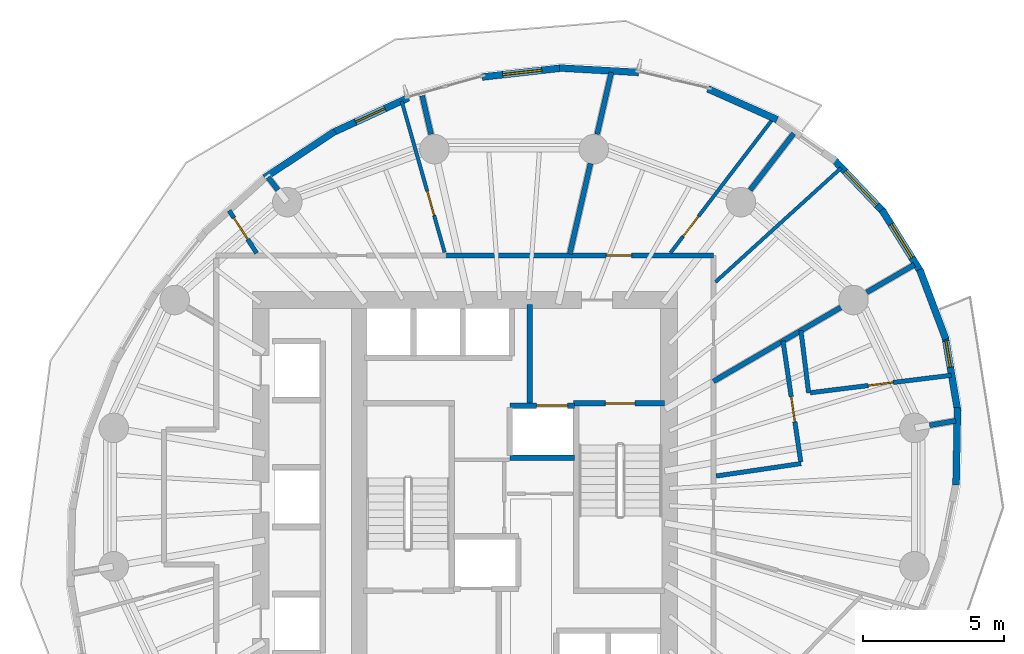
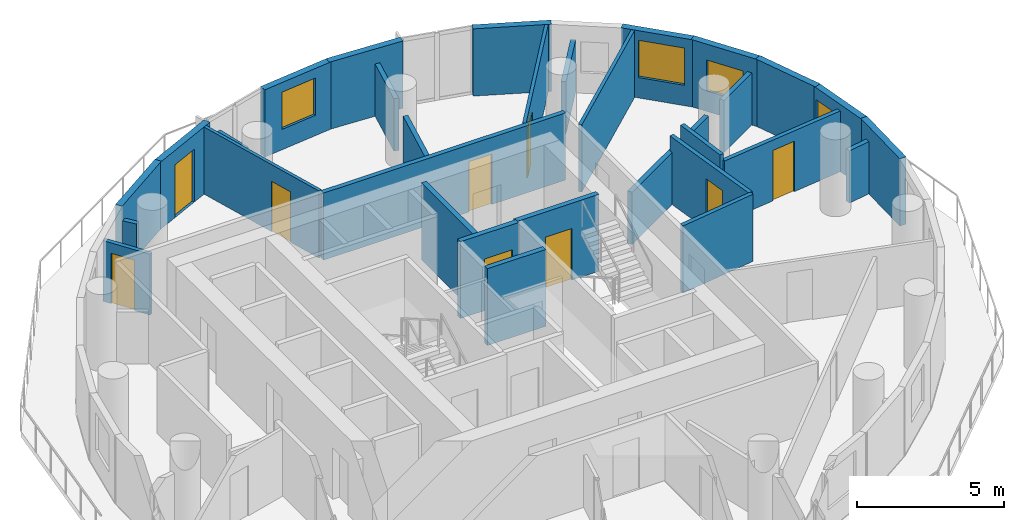
# One storey, part 7 of 13: 31 walls, 9 doors, 4 windows, 13 openings.
"""IFC4 building model written with IfcOpenShell, lengths in metres."""

from ifc_helpers import new_model, si_unit, direction, frame, frame_2d, origin, place, context, subcontext, project, spatial, rectangle, extrude, material, layer, layer_set, type_object, element, fill, save


model = new_model("IFC4")

# Units and contexts
model_context = context("Model", 3, precision=1e-05, world=origin(), true_north=direction((0.0, 1.0)))
body_context = subcontext(model_context, "Body", "Model", "MODEL_VIEW")
ifc_project = project(units=[si_unit("LENGTHUNIT", "METRE"), si_unit("AREAUNIT", "SQUARE_METRE"), si_unit("VOLUMEUNIT", "CUBIC_METRE"), si_unit("PLANEANGLEUNIT", "RADIAN"), si_unit("MASSUNIT", "GRAM", prefix="KILO")], contexts=[model_context])

# Site, building, storey
site_placement = place(None, origin())
site = spatial("IfcSite", under=ifc_project, at=site_placement, CompositionType="ELEMENT")
building_placement = place(site_placement, origin())
building = spatial("IfcBuilding", under=site, at=building_placement, Name="Veldorim Arch Residences", CompositionType="ELEMENT")
storey_placement = place(building_placement, frame((0.0, 0.0, 155.360107421875)))
storey = spatial("IfcBuildingStorey", under=building, at=storey_placement, Name="L46", CompositionType="ELEMENT", Elevation=155.360107421875)

# Wall, opening, door
ifc_material_1 = material(Name="Acoustic Gypsum Board", Category="gypsum")
ifc_layer_1 = layer(ifc_material_1, 0.125, Name="Acoustic Stud Room Partition Wall 125")
ifc_layer_set_1 = layer_set([ifc_layer_1], Name="Acoustic Gypsum Board")
wall_type_1 = type_object("IfcWallType", Name="Acoustic Stud Room Partition Wall 125", PredefinedType="PARTITIONING", material=ifc_layer_set_1)
wall_1_placement = place(storey_placement, frame((41.206787109375, 37.455322265625, 0.0), z_axis=(0.0, 0.0, 1.0), x_axis=(-0.606958821331, -0.794733281805, 0.0)))
wall_1 = element("IfcWall", 1, at=wall_1_placement, inside=storey, type_object=wall_type_1, Name="L46 interior wall WL-RES-L46-022", PredefinedType="PARTITIONING", context=body_context, shape_type="SweptSolid", body=[
    extrude(rectangle(XDim=6.0146484375, YDim=0.125, at=frame_2d((3.00732421875, 0.0))), origin(), (0.0, 0.0, 1.0), 2.794921875),
])
opening_1_placement = place(wall_1_placement, frame((4.377197265625, 0.0, 0.0)))
opening_1 = element("IfcOpeningElement", 2, at=opening_1_placement, cuts=wall_1, Name="Opening DR-SVC", PredefinedType="OPENING", context=body_context, shape_type="SweptSolid", body=[
    extrude(rectangle(XDim=0.89990234375, YDim=2.10009765625, at=frame_2d((0.449951171875, 1.050048828125))), frame((0.0, 0.072509765625, 0.0), z_axis=(0.0, -1.0, 0.0), x_axis=(1.0, 0.0, 0.0)), (0.0, 0.0, 1.0), 0.14501953125),
])
ifc_material_2 = material(Name="Fire-Rated Steel", Category="steel")
door_type_1 = type_object("IfcDoorType", Name="Riser, Shelter & Plant Room Rated Steel Door 900x2100", OperationType="SINGLE_SWING_LEFT", PredefinedType="DOOR", material=ifc_material_2)
door_1_placement = place(opening_1_placement, origin())
door_1 = element("IfcDoor", 3, at=door_1_placement, inside=storey, type_object=door_type_1, Name="L46 interior door DR-RES-L46-011", OperationType="SINGLE_SWING_LEFT", OverallHeight=2.10009765625, OverallWidth=0.89990234375, PredefinedType="DOOR", context=body_context, shape_type="SweptSolid", body=[
    extrude(rectangle(XDim=0.89990234375, YDim=2.10009765625, at=frame_2d((0.449951171875, 1.050048828125))), frame((0.0, 0.02490234375, 0.0), z_axis=(0.0, -1.0, 0.0), x_axis=(1.0, 0.0, 0.0)), (0.0, 0.0, 1.0), 0.050048828125),
])
fill(opening_1, door_1)

# Wall
wall_2_placement = place(storey_placement, frame((39.154052734375, 31.641357421875, 0.0), z_axis=(0.0, 0.0, 1.0), x_axis=(0.740463996849, 0.672096026896, 0.0)))
element("IfcWall", 4, at=wall_2_placement, inside=storey, type_object=wall_type_1, Name="L46 interior wall WL-RES-L46-024", PredefinedType="PARTITIONING", context=body_context, shape_type="SweptSolid", body=[
    extrude(rectangle(XDim=6.02783203125, YDim=0.125, at=frame_2d((3.013916015625, 0.0))), origin(), (0.0, 0.0, 1.0), 2.794921875),
])

# Wall, opening, door
wall_3_placement = place(storey_placement, frame((28.008056640625, 38.0625, 0.0), z_axis=(0.0, 0.0, 1.0), x_axis=(0.273056222603, -0.961998076556, 0.0)))
wall_3 = element("IfcWall", 5, at=wall_3_placement, inside=storey, type_object=wall_type_1, Name="L46 interior wall WL-RES-L46-026", PredefinedType="PARTITIONING", context=body_context, shape_type="SweptSolid", body=[
    extrude(rectangle(XDim=5.5791015625, YDim=0.125, at=frame_2d((2.78955078125, 0.0))), origin(), (0.0, 0.0, 1.0), 2.794921875),
])
opening_2_placement = place(wall_3_placement, frame((3.319580078125, 0.0, 0.0)))
opening_2 = element("IfcOpeningElement", 6, at=opening_2_placement, cuts=wall_3, Name="Opening DR-INT", PredefinedType="OPENING", context=body_context, shape_type="SweptSolid", body=[
    extrude(rectangle(XDim=0.89990234375, YDim=2.10009765625, at=frame_2d((0.449951171875, 1.050048828125))), frame((0.0, 0.072509765625, 0.0), z_axis=(0.0, -1.0, 0.0), x_axis=(1.0, 0.0, 0.0)), (0.0, 0.0, 1.0), 0.14501953125),
])
ifc_material_3 = material(Name="Engineered Timber", Category="wood")
door_type_2 = type_object("IfcDoorType", Name="Apartment Internal Room Timber Door 900x2100", OperationType="SINGLE_SWING_LEFT", PredefinedType="DOOR", material=ifc_material_3)
door_2_placement = place(opening_2_placement, origin())
door_2 = element("IfcDoor", 7, at=door_2_placement, inside=storey, type_object=door_type_2, Name="L46 interior door DR-RES-L46-014", OperationType="SINGLE_SWING_RIGHT", OverallHeight=2.10009765625, OverallWidth=0.89990234375, PredefinedType="DOOR", context=body_context, shape_type="SweptSolid", body=[
    extrude(rectangle(XDim=0.89990234375, YDim=2.10009765625, at=frame_2d((0.449951171875, 1.050048828125))), frame((0.0, 0.02490234375, 0.0), z_axis=(0.0, -1.0, 0.0), x_axis=(1.0, 0.0, 0.0)), (0.0, 0.0, 1.0), 0.050048828125),
])
fill(opening_2, door_2)

# Walls
ifc_material_4 = material(Name="Lightweight Masonry Block & Gypsum", Category="masonry")
ifc_layer_2 = layer(ifc_material_4, 0.179931640625, Name="Compartment & Corridor Fire-Rated Party Wall 180")
ifc_layer_set_2 = layer_set([ifc_layer_2], Name="Lightweight Masonry Block & Gypsum")
wall_type_2 = type_object("IfcWallType", Name="Compartment & Corridor Fire-Rated Party Wall 180", PredefinedType="PARTITIONING", material=ifc_layer_set_2)
wall_4_placement = place(storey_placement, frame((46.75830078125, 26.55078125, 0.0), z_axis=(0.0, 0.0, 1.0), x_axis=(0.985363023372, 0.170469094476, 0.0)))
element("IfcWall", 8, at=wall_4_placement, inside=storey, type_object=wall_type_2, Name="L46 interior wall WL-PIER-L46-01", PredefinedType="PARTITIONING", context=body_context, shape_type="SweptSolid", body=[
    extrude(rectangle(XDim=0.9453125, YDim=0.179931640625, at=frame_2d((0.47265625, 0.0))), origin(), (0.0, 0.0, 1.0), 2.17578125),
])
wall_5_placement = place(storey_placement, frame((44.527587890625, 31.27392578125, 0.0), z_axis=(0.0, 0.0, 1.0), x_axis=(0.864794183852, 0.502126497584, 0.0)))
element("IfcWall", 9, at=wall_5_placement, inside=storey, type_object=wall_type_2, Name="L46 interior wall WL-PIER-L46-02", PredefinedType="PARTITIONING", context=body_context, shape_type="SweptSolid", body=[
    extrude(rectangle(XDim=1.958984375, YDim=0.179931640625, at=frame_2d((0.9794921875, 0.0))), origin(), (0.0, 0.0, 1.0), 2.17578125),
])
wall_6_placement = place(storey_placement, frame((40.387939453125, 34.908447265625, 0.0), z_axis=(0.0, 0.0, 1.0), x_axis=(0.609529171404, 0.79276364019, 0.0)))
element("IfcWall", 10, at=wall_6_placement, inside=storey, type_object=wall_type_2, Name="L46 interior wall WL-PIER-L46-03", PredefinedType="PARTITIONING", context=body_context, shape_type="SweptSolid", body=[
    extrude(rectangle(XDim=2.5341796875, YDim=0.179931640625, at=frame_2d((1.26708984375, 0.0))), origin(), (0.0, 0.0, 1.0), 2.17578125),
])
wall_7_placement = place(storey_placement, frame((34.950439453125, 36.88916015625, 0.0), z_axis=(0.0, 0.0, 1.0), x_axis=(0.223104026265, 0.974794641688, 0.0)))
element("IfcWall", 11, at=wall_7_placement, inside=storey, type_object=wall_type_2, Name="L46 interior wall WL-PIER-L46-04", PredefinedType="PARTITIONING", context=body_context, shape_type="SweptSolid", body=[
    extrude(rectangle(XDim=2.25537109375, YDim=0.179931640625, at=frame_2d((1.127685546875, 0.0))), origin(), (0.0, 0.0, 1.0), 2.17578125),
])
wall_8_placement = place(storey_placement, frame((29.049560546875, 36.88916015625, 0.0), z_axis=(0.0, 0.0, 1.0), x_axis=(-0.223121817242, 0.974790569646, 0.0)))
element("IfcWall", 12, at=wall_8_placement, inside=storey, type_object=wall_type_2, Name="L46 interior wall WL-PIER-L46-05", PredefinedType="PARTITIONING", context=body_context, shape_type="SweptSolid", body=[
    extrude(rectangle(XDim=1.406005859375, YDim=0.179931640625, at=frame_2d((0.703125, 0.0))), origin(), (0.0, 0.0, 1.0), 2.17578125),
])
wall_9_placement = place(storey_placement, frame((23.612060546875, 34.908447265625, 0.0), z_axis=(0.0, 0.0, 1.0), x_axis=(-0.609608105511, 0.79270294417, 0.0)))
element("IfcWall", 13, at=wall_9_placement, inside=storey, type_object=wall_type_2, Name="L46 interior wall WL-PIER-L46-06", PredefinedType="PARTITIONING", context=body_context, shape_type="SweptSolid", body=[
    extrude(rectangle(XDim=0.57470703125, YDim=0.179931640625, at=frame_2d((0.287353515625, 0.0))), origin(), (0.0, 0.0, 1.0), 2.17578125),
])

# Wall, opening, door
wall_10_placement = place(storey_placement, frame((29.543701171875, 32.580078125, 0.0), z_axis=(0.0, 0.0, 1.0), x_axis=(1.0, 0.0, 0.0)))
wall_10 = element("IfcWall", 14, at=wall_10_placement, inside=storey, type_object=wall_type_2, Name="L46 interior wall WL-RES-L46-003", PredefinedType="PARTITIONING", context=body_context, shape_type="SweptSolid", body=[
    extrude(rectangle(XDim=9.536376953125, YDim=0.179931640625, at=frame_2d((4.76806640625, 0.0))), origin(), (0.0, 0.0, 1.0), 2.794921875),
])
opening_3_placement = place(wall_10_placement, frame((5.732666015625, 0.0, 0.0)))
opening_3 = element("IfcOpeningElement", 15, at=opening_3_placement, cuts=wall_10, Name="Opening DR-INT", PredefinedType="OPENING", context=body_context, shape_type="SweptSolid", body=[
    extrude(rectangle(XDim=0.89990234375, YDim=2.10009765625, at=frame_2d((0.449951171875, 1.050048828125))), frame((0.0, 0.099853515625, 0.0), z_axis=(0.0, -1.0, 0.0), x_axis=(1.0, 0.0, 0.0)), (0.0, 0.0, 1.0), 0.199951171875),
])
door_3_placement = place(opening_3_placement, origin())
door_3 = element("IfcDoor", 16, at=door_3_placement, inside=storey, type_object=door_type_2, Name="L46 interior door DR-RES-L46-009", OperationType="SINGLE_SWING_LEFT", OverallHeight=2.10009765625, OverallWidth=0.89990234375, PredefinedType="DOOR", context=body_context, shape_type="SweptSolid", body=[
    extrude(rectangle(XDim=0.89990234375, YDim=2.10009765625, at=frame_2d((0.449951171875, 1.050048828125))), frame((0.0, 0.02490234375, 0.0), z_axis=(0.0, -1.0, 0.0), x_axis=(1.0, 0.0, 0.0)), (0.0, 0.0, 1.0), 0.050048828125),
])
fill(opening_3, door_3)

# Walls
wall_11_placement = place(storey_placement, frame((39.080078125, 28.110595703125, 0.0), z_axis=(0.0, 0.0, 1.0), x_axis=(0.864768049288, 0.502171505495, 0.0)))
element("IfcWall", 17, at=wall_11_placement, inside=storey, type_object=wall_type_2, Name="L46 interior wall WL-RES-L46-020", PredefinedType="PARTITIONING", context=body_context, shape_type="SweptSolid", body=[
    extrude(rectangle(XDim=5.237060546875, YDim=0.179931640625, at=frame_2d((2.61865234375, 0.0))), origin(), (0.0, 0.0, 1.0), 2.17578125),
])
wall_12_placement = place(storey_placement, frame((33.977294921875, 32.638427734375, 0.0), z_axis=(0.0, 0.0, 1.0), x_axis=(0.22319287001, 0.974774303506, 0.0)))
element("IfcWall", 18, at=wall_12_placement, inside=storey, type_object=wall_type_2, Name="L46 interior wall WL-RES-L46-023", PredefinedType="PARTITIONING", context=body_context, shape_type="SweptSolid", body=[
    extrude(rectangle(XDim=3.2958984375, YDim=0.179931640625, at=frame_2d((1.64794921875, 0.0))), origin(), (0.0, 0.0, 1.0), 2.17578125),
])

# Wall, opening, door
ifc_material_5 = material(Name="Concrete C50/60", Category="concrete")
ifc_layer_3 = layer(ifc_material_5, 0.199951171875, Name="Core Stair & Lift Shaft Enclosure Wall 200")
ifc_layer_set_3 = layer_set([ifc_layer_3], Name="Concrete C50/60")
wall_type_3 = type_object("IfcWallType", Name="Core Stair & Lift Shaft Enclosure Wall 200", PredefinedType="SHEAR", material=ifc_layer_set_3)
wall_13_placement = place(storey_placement, frame((34.110107421875, 27.330078125, 0.0), z_axis=(0.0, 0.0, 1.0), x_axis=(1.0, 0.0, 0.0)))
wall_13 = element("IfcWall", 19, at=wall_13_placement, inside=storey, type_object=wall_type_3, Name="L46 shaft wall WL-SHF-L46-ST2-N", PredefinedType="SHEAR", context=body_context, shape_type="SweptSolid", body=[
    extrude(rectangle(XDim=3.239990234375, YDim=0.199951171875, at=frame_2d((1.6201171875, 0.0))), origin(), (0.0, 0.0, 1.0), 3.199951171875),
])
opening_4_placement = place(wall_13_placement, frame((1.135009765625, 0.0, 0.0)))
opening_4 = element("IfcOpeningElement", 20, at=opening_4_placement, cuts=wall_13, Name="Opening DR-ST", PredefinedType="OPENING", context=body_context, shape_type="SweptSolid", body=[
    extrude(rectangle(XDim=1.050048828125, YDim=2.14990234375, at=frame_2d((0.52490234375, 1.074951171875))), frame((0.0, 0.10986328125, 0.0), z_axis=(0.0, -1.0, 0.0), x_axis=(1.0, 0.0, 0.0)), (0.0, 0.0, 1.0), 0.219970703125),
])
ifc_material_6 = material(Name="Fire-Rated Steel", Category="steel")
door_type_3 = type_object("IfcDoorType", Name="Exit Staircase Self-Closing Fire Door 1050x2150", OperationType="SINGLE_SWING_LEFT", PredefinedType="DOOR", material=ifc_material_6)
door_4_placement = place(opening_4_placement, origin())
door_4 = element("IfcDoor", 21, at=door_4_placement, inside=storey, type_object=door_type_3, Name="L46 interior door DR-L46-ST2", OperationType="SINGLE_SWING_RIGHT", OverallHeight=2.14990234375, OverallWidth=1.050048828125, PredefinedType="DOOR", context=body_context, shape_type="SweptSolid", body=[
    extrude(rectangle(XDim=1.050048828125, YDim=2.14990234375, at=frame_2d((0.52490234375, 1.074951171875))), frame((0.0, 0.02490234375, 0.0), z_axis=(0.0, -1.0, 0.0), x_axis=(1.0, 0.0, 0.0)), (0.0, 0.0, 1.0), 0.050048828125),
])
fill(opening_4, door_4)

# Wall
wall_14_placement = place(storey_placement, frame((32.550048828125, 27.35009765625, 0.0), z_axis=(0.0, 0.0, 1.0), x_axis=(0.0, 1.0, 0.0)))
element("IfcWall", 22, at=wall_14_placement, inside=storey, type_object=wall_type_3, Name="L46 shaft wall WL-FFL2-L46-W", PredefinedType="SHEAR", context=body_context, shape_type="SweptSolid", body=[
    extrude(rectangle(XDim=3.5, YDim=0.199951171875, at=frame_2d((1.75, 0.0))), origin(), (0.0, 0.0, 1.0), 3.199951171875),
])

# Wall, opening, door
wall_15_placement = place(storey_placement, frame((31.85009765625, 27.25, 0.0), z_axis=(0.0, 0.0, 1.0), x_axis=(1.0, 0.0, 0.0)))
wall_15 = element("IfcWall", 23, at=wall_15_placement, inside=storey, type_object=wall_type_3, Name="L46 shaft wall WL-FL02-L46-N", PredefinedType="SHEAR", context=body_context, shape_type="SweptSolid", body=[
    extrude(rectangle(XDim=2.2998046875, YDim=0.199951171875, at=frame_2d((1.14990234375, 0.0))), origin(), (0.0, 0.0, 1.0), 3.199951171875),
])
opening_5_placement = place(wall_15_placement, frame((0.949951171875, 0.0, 0.0)))
opening_5 = element("IfcOpeningElement", 24, at=opening_5_placement, cuts=wall_15, Name="Opening LD-FF", PredefinedType="OPENING", context=body_context, shape_type="SweptSolid", body=[
    extrude(rectangle(XDim=1.10009765625, YDim=2.14990234375, at=frame_2d((0.550048828125, 1.074951171875))), frame((0.0, 0.10986328125, 0.0), z_axis=(0.0, -1.0, 0.0), x_axis=(1.0, 0.0, 0.0)), (0.0, 0.0, 1.0), 0.219970703125),
])
ifc_material_7 = material(Name="Stainless Steel", Category="steel")
door_type_4 = type_object("IfcDoorType", Name="Firefighting Lift Bi-Parting Sliding Landing Door 1100x2150", OperationType="DOUBLE_DOOR_SLIDING", PredefinedType="DOOR", material=ifc_material_7)
door_5_placement = place(opening_5_placement, origin())
door_5 = element("IfcDoor", 25, at=door_5_placement, inside=storey, type_object=door_type_4, Name="L46 lift landing door LD-L46-FL02", OperationType="DOUBLE_DOOR_SLIDING", OverallHeight=2.14990234375, OverallWidth=1.10009765625, PredefinedType="DOOR", context=body_context, shape_type="SweptSolid", body=[
    extrude(rectangle(XDim=1.10009765625, YDim=2.14990234375, at=frame_2d((0.550048828125, 1.074951171875))), frame((0.0, 0.02490234375, 0.0), z_axis=(0.0, -1.0, 0.0), x_axis=(1.0, 0.0, 0.0)), (0.0, 0.0, 1.0), 0.050048828125),
])
fill(opening_5, door_5)

# Wall
wall_16_placement = place(storey_placement, frame((31.85009765625, 25.39990234375, 0.0), z_axis=(0.0, 0.0, 1.0), x_axis=(1.0, 0.0, 0.0)))
element("IfcWall", 26, at=wall_16_placement, inside=storey, type_object=wall_type_3, Name="L46 shaft wall WL-FL02-L46-S", PredefinedType="SHEAR", context=body_context, shape_type="SweptSolid", body=[
    extrude(rectangle(XDim=2.2998046875, YDim=0.199951171875, at=frame_2d((1.14990234375, 0.0))), origin(), (0.0, 0.0, 1.0), 3.199951171875),
])

# Wall, opening, window
ifc_material_8 = material(Name="Precast concrete C40/50", Category="concrete")
ifc_layer_4 = layer(ifc_material_8, 0.25, Name="Tower Terracotta Spandrel & Pier Wall 250")
ifc_layer_set_4 = layer_set([ifc_layer_4], Name="Precast concrete C40/50")
wall_type_4 = type_object("IfcWallType", Name="Tower Terracotta Spandrel & Pier Wall 250", PredefinedType="SOLIDWALL", material=ifc_layer_set_4)
wall_17_placement = place(storey_placement, frame((43.328125, 36.018798828125, 0.0), z_axis=(0.0, 0.0, 1.0), x_axis=(0.688923042016, -0.724834492957, 0.0)))
wall_17 = element("IfcWall", 27, at=wall_17_placement, inside=storey, type_object=wall_type_4, Name="L46 terracotta facade wall 01", PredefinedType="SOLIDWALL", context=body_context, shape_type="SweptSolid", body=[
    extrude(rectangle(XDim=2.624267578125, YDim=0.25, at=frame_2d((1.31201171875, 0.0))), origin(), (0.0, 0.0, 1.0), 2.7998046875),
])
opening_6_placement = place(wall_17_placement, frame((0.62109375, 0.0, 0.85009765625)))
opening_6 = element("IfcOpeningElement", 28, at=opening_6_placement, cuts=wall_17, Name="Opening WN-03", PredefinedType="OPENING", context=body_context, shape_type="SweptSolid", body=[
    extrude(rectangle(XDim=1.64990234375, YDim=1.550048828125, at=frame_2d((0.824951171875, 0.77490234375))), frame((0.0, 0.135009765625, 0.0), z_axis=(0.0, -1.0, 0.0), x_axis=(1.0, 0.0, 0.0)), (0.0, 0.0, 1.0), 0.27001953125),
])
ifc_material_9 = material(Name="Laminated Low-E Glass", Category="glass")
window_type_1 = type_object("IfcWindowType", Name="Residential Wide Window 1650x1550", PartitioningType="SINGLE_PANEL", PredefinedType="WINDOW", material=ifc_material_9)
window_1_placement = place(opening_6_placement, origin())
window_1 = element("IfcWindow", 29, at=window_1_placement, inside=storey, type_object=window_type_1, Name="L46 solar-control facade window 01", OverallHeight=1.550048828125, OverallWidth=1.64990234375, PartitioningType="SINGLE_PANEL", PredefinedType="WINDOW", context=body_context, shape_type="SweptSolid", body=[
    extrude(rectangle(XDim=1.64990234375, YDim=1.550048828125, at=frame_2d((0.824951171875, 0.77490234375))), frame((0.0, 0.030029296875, 0.0), z_axis=(0.0, -1.0, 0.0), x_axis=(1.0, 0.0, 0.0)), (0.0, 0.0, 1.0), 0.06005859375),
])
fill(opening_6, window_1)

# Walls
wall_18_placement = place(storey_placement, frame((38.885986328125, 38.5048828125, 0.0), z_axis=(0.0, 0.0, 1.0), x_axis=(0.913598321014, -0.406617889228, 0.0)))
element("IfcWall", 30, at=wall_18_placement, inside=storey, type_object=wall_type_4, Name="L46 terracotta facade wall 03", PredefinedType="SOLIDWALL", context=body_context, shape_type="SweptSolid", body=[
    extrude(rectangle(XDim=2.69287109375, YDim=0.25, at=frame_2d((1.346435546875, 0.0))), origin(), (0.0, 0.0, 1.0), 2.7998046875),
])
wall_19_placement = place(storey_placement, frame((33.61279296875, 39.245849609375, 0.0), z_axis=(0.0, 0.0, 1.0), x_axis=(0.998436800423, -0.055892356906, 0.0)))
element("IfcWall", 31, at=wall_19_placement, inside=storey, type_object=wall_type_4, Name="L46 terracotta facade wall 05", PredefinedType="SOLIDWALL", context=body_context, shape_type="SweptSolid", body=[
    extrude(rectangle(XDim=2.8173828125, YDim=0.25, at=frame_2d((1.40869140625, 0.0))), origin(), (0.0, 0.0, 1.0), 2.7998046875),
])

# Wall, opening, window
wall_20_placement = place(storey_placement, frame((30.860107421875, 38.92431640625, 0.0), z_axis=(0.0, 0.0, 1.0), x_axis=(0.993631150985, 0.112681568111, 0.0)))
wall_20 = element("IfcWall", 32, at=wall_20_placement, inside=storey, type_object=wall_type_4, Name="L46 terracotta facade wall 06", PredefinedType="SOLIDWALL", context=body_context, shape_type="SweptSolid", body=[
    extrude(rectangle(XDim=2.881591796875, YDim=0.25, at=frame_2d((1.44091796875, 0.0))), origin(), (0.0, 0.0, 1.0), 2.7998046875),
])
opening_7_placement = place(wall_20_placement, frame((0.740966796875, 0.0, 0.85009765625)))
opening_7 = element("IfcOpeningElement", 33, at=opening_7_placement, cuts=wall_20, Name="Opening WN-02", PredefinedType="OPENING", context=body_context, shape_type="SweptSolid", body=[
    extrude(rectangle(XDim=1.39990234375, YDim=1.550048828125, at=frame_2d((0.699951171875, 0.77490234375))), frame((0.0, 0.135009765625, 0.0), z_axis=(0.0, -1.0, 0.0), x_axis=(1.0, 0.0, 0.0)), (0.0, 0.0, 1.0), 0.27001953125),
])
ifc_material_10 = material(Name="Laminated Low-E Glass", Category="glass")
window_type_2 = type_object("IfcWindowType", Name="Residential Casement Window 1400x1550", PartitioningType="SINGLE_PANEL", PredefinedType="WINDOW", material=ifc_material_10)
window_2_placement = place(opening_7_placement, origin())
window_2 = element("IfcWindow", 34, at=window_2_placement, inside=storey, type_object=window_type_2, Name="L46 solar-control facade window 06", OverallHeight=1.550048828125, OverallWidth=1.39990234375, PartitioningType="SINGLE_PANEL", PredefinedType="WINDOW", context=body_context, shape_type="SweptSolid", body=[
    extrude(rectangle(XDim=1.39990234375, YDim=1.550048828125, at=frame_2d((0.699951171875, 0.77490234375))), frame((0.0, 0.030029296875, 0.0), z_axis=(0.0, -1.0, 0.0), x_axis=(1.0, 0.0, 0.0)), (0.0, 0.0, 1.0), 0.06005859375),
])
fill(opening_7, window_2)

# Wall, opening, door
wall_21_placement = place(storey_placement, frame((25.53857421875, 36.943603515625, 0.0), z_axis=(0.0, 0.0, 1.0), x_axis=(0.908594420046, 0.417679518124, 0.0)))
wall_21 = element("IfcWall", 35, at=wall_21_placement, inside=storey, type_object=wall_type_4, Name="L46 terracotta facade wall 08", PredefinedType="SOLIDWALL", context=body_context, shape_type="SweptSolid", body=[
    extrude(rectangle(XDim=2.97705078125, YDim=0.25, at=frame_2d((1.488525390625, 0.0))), origin(), (0.0, 0.0, 1.0), 2.7998046875),
])
opening_8_placement = place(wall_21_placement, frame((0.9140625, 0.0, 0.0)))
opening_8 = element("IfcOpeningElement", 36, at=opening_8_placement, cuts=wall_21, Name="Opening BL-DR", PredefinedType="OPENING", context=body_context, shape_type="SweptSolid", body=[
    extrude(rectangle(XDim=1.14990234375, YDim=2.199951171875, at=frame_2d((0.574951171875, 1.10009765625))), frame((0.0, 0.135009765625, 0.0), z_axis=(0.0, -1.0, 0.0), x_axis=(1.0, 0.0, 0.0)), (0.0, 0.0, 1.0), 0.27001953125),
])
ifc_material_11 = material(Name="Aluminium & Low-E Glass", Category="aluminium")
door_type_5 = type_object("IfcDoorType", Name="Glazed Planted Balcony Door 1150x2200", OperationType="SINGLE_SWING_LEFT", PredefinedType="DOOR", material=ifc_material_11)
door_6_placement = place(opening_8_placement, origin())
door_6 = element("IfcDoor", 37, at=door_6_placement, inside=storey, type_object=door_type_5, Name="L46 glazed outdoor terrace door BALC-1", OperationType="SINGLE_SWING_RIGHT", OverallHeight=2.199951171875, OverallWidth=1.14990234375, PredefinedType="DOOR", context=body_context, shape_type="SweptSolid", body=[
    extrude(rectangle(XDim=1.14990234375, YDim=2.199951171875, at=frame_2d((0.574951171875, 1.10009765625))), frame((0.0, 0.02490234375, 0.0), z_axis=(0.0, -1.0, 0.0), x_axis=(1.0, 0.0, 0.0)), (0.0, 0.0, 1.0), 0.050048828125),
])
fill(opening_8, door_6)

# Walls
wall_22_placement = place(storey_placement, frame((23.132080078125, 35.343994140625, 0.0), z_axis=(0.0, 0.0, 1.0), x_axis=(0.83436073477, 0.551218798912, 0.0)))
element("IfcWall", 38, at=wall_22_placement, inside=storey, type_object=wall_type_4, Name="L46 terracotta facade wall 09", PredefinedType="SOLIDWALL", context=body_context, shape_type="SweptSolid", body=[
    extrude(rectangle(XDim=2.998046875, YDim=0.25, at=frame_2d((1.4990234375, 0.0))), origin(), (0.0, 0.0, 1.0), 2.7998046875),
])
wall_23_placement = place(storey_placement, frame((47.753173828125, 27.175048828125, 0.0), z_axis=(0.0, 0.0, 1.0), x_axis=(-0.018273942119, -0.999833017578, 0.0)))
element("IfcWall", 39, at=wall_23_placement, inside=storey, type_object=wall_type_4, Name="L46 terracotta facade wall 33", PredefinedType="SOLIDWALL", context=body_context, shape_type="SweptSolid", body=[
    extrude(rectangle(XDim=2.752197265625, YDim=0.25, at=frame_2d((1.3759765625, 0.0))), origin(), (0.0, 0.0, 1.0), 2.7998046875),
])

# Wall, opening, window
wall_24_placement = place(storey_placement, frame((47.312744140625, 29.7177734375, 0.0), z_axis=(0.0, 0.0, 1.0), x_axis=(0.166721354457, -0.9860040517, 0.0)))
wall_24 = element("IfcWall", 40, at=wall_24_placement, inside=storey, type_object=wall_type_4, Name="L46 terracotta facade wall 34", PredefinedType="SOLIDWALL", context=body_context, shape_type="SweptSolid", body=[
    extrude(rectangle(XDim=2.69287109375, YDim=0.25, at=frame_2d((1.346435546875, 0.0))), origin(), (0.0, 0.0, 1.0), 2.7998046875),
])
opening_9_placement = place(wall_24_placement, frame((0.175048828125, 0.0, 0.85009765625)))
opening_9 = element("IfcOpeningElement", 41, at=opening_9_placement, cuts=wall_24, Name="Opening WN-05", PredefinedType="OPENING", context=body_context, shape_type="SweptSolid", body=[
    extrude(rectangle(XDim=0.949951171875, YDim=1.449951171875, at=frame_2d((0.47509765625, 0.72509765625))), frame((0.0, 0.135009765625, 0.0), z_axis=(0.0, -1.0, 0.0), x_axis=(1.0, 0.0, 0.0)), (0.0, 0.0, 1.0), 0.27001953125),
])
ifc_material_12 = material(Name="Laminated Low-E Glass", Category="glass")
window_type_3 = type_object("IfcWindowType", Name="Residential Compact Casement Window 950x1450", PartitioningType="SINGLE_PANEL", PredefinedType="WINDOW", material=ifc_material_12)
window_3_placement = place(opening_9_placement, origin())
window_3 = element("IfcWindow", 42, at=window_3_placement, inside=storey, type_object=window_type_3, Name="L46 solar-control facade window 34", OverallHeight=1.449951171875, OverallWidth=0.949951171875, PartitioningType="SINGLE_PANEL", PredefinedType="WINDOW", context=body_context, shape_type="SweptSolid", body=[
    extrude(rectangle(XDim=0.949951171875, YDim=1.449951171875, at=frame_2d((0.47509765625, 0.72509765625))), frame((0.0, 0.030029296875, 0.0), z_axis=(0.0, -1.0, 0.0), x_axis=(1.0, 0.0, 0.0)), (0.0, 0.0, 1.0), 0.06005859375),
])
fill(opening_9, window_3)

# Wall
wall_25_placement = place(storey_placement, frame((46.40771484375, 32.085693359375, 0.0), z_axis=(0.0, 0.0, 1.0), x_axis=(0.353022229402, -0.93561493444, 0.0)))
element("IfcWall", 43, at=wall_25_placement, inside=storey, type_object=wall_type_4, Name="L46 terracotta facade wall 35", PredefinedType="SOLIDWALL", context=body_context, shape_type="SweptSolid", body=[
    extrude(rectangle(XDim=2.64794921875, YDim=0.25, at=frame_2d((1.323974609375, 0.0))), origin(), (0.0, 0.0, 1.0), 2.7998046875),
])

# Wall, opening, window
wall_26_placement = place(storey_placement, frame((45.06591796875, 34.207275390625, 0.0), z_axis=(0.0, 0.0, 1.0), x_axis=(0.530726374543, -0.847543223302, 0.0)))
wall_26 = element("IfcWall", 44, at=wall_26_placement, inside=storey, type_object=wall_type_4, Name="L46 terracotta facade wall 36", PredefinedType="SOLIDWALL", context=body_context, shape_type="SweptSolid", body=[
    extrude(rectangle(XDim=2.6240234375, YDim=0.25, at=frame_2d((1.31201171875, 0.0))), origin(), (0.0, 0.0, 1.0), 2.7998046875),
])
opening_10_placement = place(wall_26_placement, frame((0.612060546875, 0.0, 0.85009765625)))
opening_10 = element("IfcOpeningElement", 45, at=opening_10_placement, cuts=wall_26, Name="Opening WN-02", PredefinedType="OPENING", context=body_context, shape_type="SweptSolid", body=[
    extrude(rectangle(XDim=1.39990234375, YDim=1.2900390625, at=frame_2d((0.699951171875, 0.64501953125))), frame((0.0, 0.135009765625, 0.0), z_axis=(0.0, -1.0, 0.0), x_axis=(1.0, 0.0, 0.0)), (0.0, 0.0, 1.0), 0.27001953125),
])
window_4_placement = place(opening_10_placement, origin())
window_4 = element("IfcWindow", 46, at=window_4_placement, inside=storey, type_object=window_type_2, Name="L46 solar-control facade window 36", OverallHeight=1.2900390625, OverallWidth=1.39990234375, PartitioningType="SINGLE_PANEL", PredefinedType="WINDOW", context=body_context, shape_type="SweptSolid", body=[
    extrude(rectangle(XDim=1.39990234375, YDim=1.2900390625, at=frame_2d((0.699951171875, 0.64501953125))), frame((0.0, 0.030029296875, 0.0), z_axis=(0.0, -1.0, 0.0), x_axis=(1.0, 0.0, 0.0)), (0.0, 0.0, 1.0), 0.06005859375),
])
fill(opening_10, window_4)

# Wall
ifc_material_13 = material(Name="Moisture-Resistant Gypsum & Stud", Category="gypsum")
ifc_layer_5 = layer(ifc_material_13, 0.159912109375, Name="Wet-Area Moisture-Resistant Plumbing Wall 160")
ifc_layer_set_5 = layer_set([ifc_layer_5], Name="Moisture-Resistant Gypsum & Stud")
wall_type_5 = type_object("IfcWallType", Name="Wet-Area Moisture-Resistant Plumbing Wall 160", PredefinedType="PLUMBINGWALL", material=ifc_layer_set_5)
wall_27_placement = place(storey_placement, frame((42.189208984375, 29.916259765625, 0.0), z_axis=(0.0, 0.0, 1.0), x_axis=(0.122809822633, -0.99243022297, 0.0)))
element("IfcWall", 47, at=wall_27_placement, inside=storey, type_object=wall_type_5, Name="L46 interior wall WL-RES-L46-015", PredefinedType="PLUMBINGWALL", context=body_context, shape_type="SweptSolid", body=[
    extrude(rectangle(XDim=2.232421875, YDim=0.159912109375, at=frame_2d((1.1162109375, 0.0))), origin(), (0.0, 0.0, 1.0), 2.794921875),
])

# Wall, opening, door
wall_28_placement = place(storey_placement, frame((42.522705078125, 27.7080078125, 0.0), z_axis=(0.0, 0.0, 1.0), x_axis=(0.992432598709, 0.122790622685, 0.0)))
wall_28 = element("IfcWall", 48, at=wall_28_placement, inside=storey, type_object=wall_type_5, Name="L46 interior wall WL-RES-L46-016", PredefinedType="PLUMBINGWALL", context=body_context, shape_type="SweptSolid", body=[
    extrude(rectangle(XDim=5.048095703125, YDim=0.159912109375, at=frame_2d((2.52392578125, 0.0))), origin(), (0.0, 0.0, 1.0), 2.531982421875),
])
opening_11_placement = place(wall_28_placement, frame((2.073974609375, 0.0, 0.0)))
opening_11 = element("IfcOpeningElement", 49, at=opening_11_placement, cuts=wall_28, Name="Opening DR-WC", PredefinedType="OPENING", context=body_context, shape_type="SweptSolid", body=[
    extrude(rectangle(XDim=0.89990234375, YDim=2.10009765625, at=frame_2d((0.449951171875, 1.050048828125))), frame((0.0, 0.08984375, 0.0), z_axis=(0.0, -1.0, 0.0), x_axis=(1.0, 0.0, 0.0)), (0.0, 0.0, 1.0), 0.179931640625),
])
ifc_material_14 = material(Name="Laminate Timber", Category="wood")
door_type_6 = type_object("IfcDoorType", Name="Bathroom & Accessible WC Moisture-Sealed Door 900x2100", OperationType="SINGLE_SWING_LEFT", PredefinedType="DOOR", material=ifc_material_14)
door_7_placement = place(opening_11_placement, origin())
door_7 = element("IfcDoor", 50, at=door_7_placement, inside=storey, type_object=door_type_6, Name="L46 interior door DR-RES-L46-005", OperationType="SINGLE_SWING_LEFT", OverallHeight=2.10009765625, OverallWidth=0.89990234375, PredefinedType="DOOR", context=body_context, shape_type="SweptSolid", body=[
    extrude(rectangle(XDim=0.89990234375, YDim=2.10009765625, at=frame_2d((0.449951171875, 1.050048828125))), frame((0.0, 0.02490234375, 0.0), z_axis=(0.0, -1.0, 0.0), x_axis=(1.0, 0.0, 0.0)), (0.0, 0.0, 1.0), 0.050048828125),
])
fill(opening_11, door_7)

# Wall
wall_29_placement = place(storey_placement, frame((39.178955078125, 24.7490234375, 0.0), z_axis=(0.0, 0.0, 1.0), x_axis=(0.989395416792, 0.145247062726, 0.0)))
element("IfcWall", 51, at=wall_29_placement, inside=storey, type_object=wall_type_5, Name="L46 interior wall WL-RES-L46-018", PredefinedType="PLUMBINGWALL", context=body_context, shape_type="SweptSolid", body=[
    extrude(rectangle(XDim=3.045654296875, YDim=0.159912109375, at=frame_2d((1.52294921875, 0.0))), origin(), (0.0, 0.0, 1.0), 2.794921875),
])

# Wall, opening, door
wall_30_placement = place(storey_placement, frame((42.183837890625, 25.2509765625, 0.0), z_axis=(0.0, 0.0, 1.0), x_axis=(-0.145293261483, 0.989388633535, 0.0)))
wall_30 = element("IfcWall", 52, at=wall_30_placement, inside=storey, type_object=wall_type_5, Name="L46 interior wall WL-RES-L46-019", PredefinedType="PLUMBINGWALL", context=body_context, shape_type="SweptSolid", body=[
    extrude(rectangle(XDim=4.342041015625, YDim=0.159912109375, at=frame_2d((2.1708984375, 0.0))), origin(), (0.0, 0.0, 1.0), 2.794921875),
])
opening_12_placement = place(wall_30_placement, frame((1.44091796875, 0.0, 0.0)))
opening_12 = element("IfcOpeningElement", 53, at=opening_12_placement, cuts=wall_30, Name="Opening DR-INT", PredefinedType="OPENING", context=body_context, shape_type="SweptSolid", body=[
    extrude(rectangle(XDim=0.89990234375, YDim=2.10009765625, at=frame_2d((0.449951171875, 1.050048828125))), frame((0.0, 0.08984375, 0.0), z_axis=(0.0, -1.0, 0.0), x_axis=(1.0, 0.0, 0.0)), (0.0, 0.0, 1.0), 0.179931640625),
])
door_8_placement = place(opening_12_placement, origin())
door_8 = element("IfcDoor", 54, at=door_8_placement, inside=storey, type_object=door_type_2, Name="L46 interior door DR-RES-L46-008", OperationType="SINGLE_SWING_RIGHT", OverallHeight=2.10009765625, OverallWidth=0.89990234375, PredefinedType="DOOR", context=body_context, shape_type="SweptSolid", body=[
    extrude(rectangle(XDim=0.89990234375, YDim=2.10009765625, at=frame_2d((0.449951171875, 1.050048828125))), frame((0.0, 0.02490234375, 0.0), z_axis=(0.0, -1.0, 0.0), x_axis=(1.0, 0.0, 0.0)), (0.0, 0.0, 1.0), 0.050048828125),
])
fill(opening_12, door_8)

wall_31_placement = place(storey_placement, frame((22.856689453125, 32.6640625, 0.0), z_axis=(0.0, 0.0, 1.0), x_axis=(-0.542638936207, 0.839966061762, 0.0)))
wall_31 = element("IfcWall", 55, at=wall_31_placement, inside=storey, type_object=wall_type_5, Name="L46 interior wall WL-RES-L46-025", PredefinedType="PLUMBINGWALL", context=body_context, shape_type="SweptSolid", body=[
    extrude(rectangle(XDim=1.80224609375, YDim=0.159912109375, at=frame_2d((0.901123046875, 0.0))), origin(), (0.0, 0.0, 1.0), 2.531982421875),
])
opening_13_placement = place(wall_31_placement, frame((0.59130859375, 0.0, 0.0)))
opening_13 = element("IfcOpeningElement", 56, at=opening_13_placement, cuts=wall_31, Name="Opening DR-WC", PredefinedType="OPENING", context=body_context, shape_type="SweptSolid", body=[
    extrude(rectangle(XDim=0.89990234375, YDim=2.10009765625, at=frame_2d((0.449951171875, 1.050048828125))), frame((0.0, 0.08984375, 0.0), z_axis=(0.0, -1.0, 0.0), x_axis=(1.0, 0.0, 0.0)), (0.0, 0.0, 1.0), 0.179931640625),
])
door_9_placement = place(opening_13_placement, origin())
door_9 = element("IfcDoor", 57, at=door_9_placement, inside=storey, type_object=door_type_6, Name="L46 interior door DR-RES-L46-013", OperationType="SINGLE_SWING_LEFT", OverallHeight=2.10009765625, OverallWidth=0.89990234375, PredefinedType="DOOR", context=body_context, shape_type="SweptSolid", body=[
    extrude(rectangle(XDim=0.89990234375, YDim=2.10009765625, at=frame_2d((0.449951171875, 1.050048828125))), frame((0.0, 0.02490234375, 0.0), z_axis=(0.0, -1.0, 0.0), x_axis=(1.0, 0.0, 0.0)), (0.0, 0.0, 1.0), 0.050048828125),
])
fill(opening_13, door_9)

save(model, "model.ifc")
